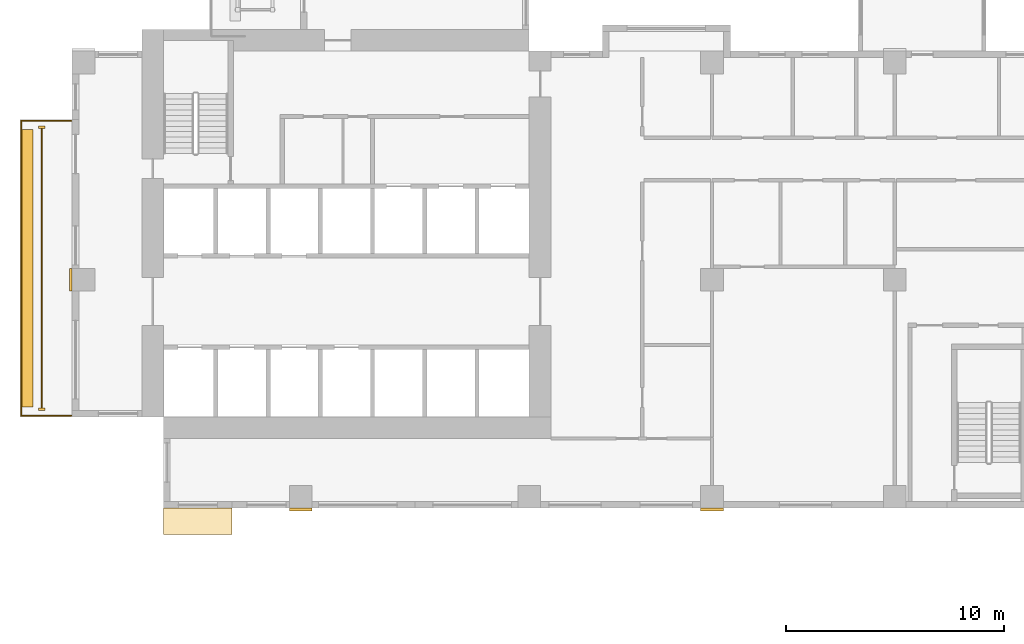
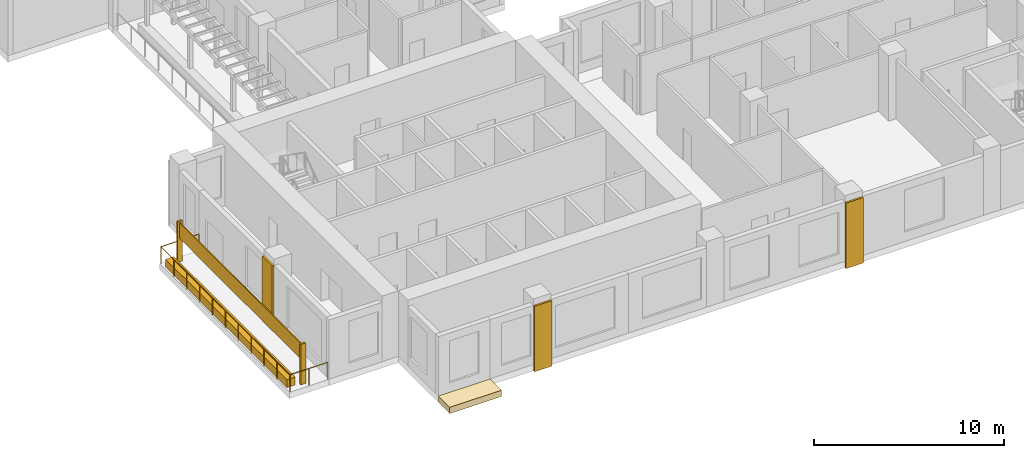
# One storey, part 12 of 16: 8 coverings, 1 railing.
"""IFC4 building model written with IfcOpenShell, lengths in metres."""

from ifc_helpers import new_model, si_unit, direction, frame, origin, origin_2d, place, context, subcontext, project, spatial, polyline, rectangle, circle, outline, extrude, source, transform, mapped, material, type_object, element, save


model = new_model("IFC4")

# Units and contexts
model_context = context("Model", 3, precision=1e-05, world=origin(), true_north=direction((0.0, 1.0)))
body_context = subcontext(model_context, "Body", "Model", "MODEL_VIEW")
ifc_project = project(units=[si_unit("LENGTHUNIT", "METRE"), si_unit("AREAUNIT", "SQUARE_METRE"), si_unit("VOLUMEUNIT", "CUBIC_METRE"), si_unit("PLANEANGLEUNIT", "RADIAN"), si_unit("MASSUNIT", "GRAM", prefix="KILO")], contexts=[model_context])

# Site, building, storey
site_placement = place(None, origin())
site = spatial("IfcSite", under=ifc_project, at=site_placement, CompositionType="ELEMENT")
building_placement = place(site_placement, origin())
building = spatial("IfcBuilding", under=site, at=building_placement, Name="Aurelian Terraces", CompositionType="ELEMENT")
storey_placement = place(building_placement, frame((0.0, 0.0, 124.5)))
storey = spatial("IfcBuildingStorey", under=building, at=storey_placement, Name="L27", CompositionType="ELEMENT", Elevation=124.5)

# Coverings
ifc_material_1 = material(Name="Terracotta rainscreen cladding relief", Category="masonry")
covering_type_1 = type_object("IfcCoveringType", Name="FIN-TC", PredefinedType="CLADDING", material=ifc_material_1)
shared_shape_1 = source(origin(), body_context, "Body", "SweptSolid", [
    extrude(rectangle(XDim=0.3, YDim=0.12, at=origin_2d()), origin(), (0.0, 0.0, 1.0), 2.6),
])
for number, where, z_axis, x_axis, name in (
    (1, (-1.4, 17.5, 0.0), (0.0, 0.0, 1.0), (1.0, 0.0, 0.0), "FIN L27 L27-F22-44.1"),
    (2, (-1.4, 4.55, 0.0), (0.0, 0.0, 1.0), (1.0, 0.0, 0.0), "FIN L27 L27-F22-44.2"),
):
    element("IfcCovering", number, at=place(storey_placement, frame(where, z_axis=z_axis, x_axis=x_axis)), inside=storey, type_object=covering_type_1, Name=name, PredefinedType="CLADDING", context=body_context, shape_type="MappedRepresentation", body=[
        mapped(shared_shape_1, transform((0.0, 0.0, 0.0), scale=1.0)),
    ])

# Railing
ifc_material_2 = material(Name="Anodised aluminium", Category="aluminium")
railing_type = type_object("IfcRailingType", Name="GUARD-1100", PredefinedType="GUARDRAIL", material=ifc_material_2)
shared_shape_2 = source(origin(), body_context, "Body", "SweptSolid", [
    extrude(circle(Radius=0.024, at=origin_2d()), frame((0.0, 0.0, 1.076), z_axis=(-1.0, 0.0, 0.0), x_axis=(0.0, -1.0, 0.0)), (0.0, 0.0, 1.0), 2.3),
    extrude(circle(Radius=0.024, at=origin_2d()), frame((-2.3, 0.0, 1.076), z_axis=(0.0, -1.0, 0.0), x_axis=(1.0, 0.0, 0.0)), (0.0, 0.0, 1.0), 13.55),
    extrude(circle(Radius=0.024, at=origin_2d()), frame((-2.3, -13.55, 1.076), z_axis=(1.0, 0.0, 0.0), x_axis=(0.0, 1.0, 0.0)), (0.0, 0.0, 1.0), 2.3),
    extrude(circle(Radius=0.021, at=origin_2d()), origin(), (0.0, 0.0, 1.0), 1.052),
    extrude(circle(Radius=0.021, at=origin_2d()), frame((-1.15, 0.0, 0.0)), (0.0, 0.0, 1.0), 1.052),
    extrude(circle(Radius=0.021, at=origin_2d()), frame((-2.3, 0.0, 0.0)), (0.0, 0.0, 1.0), 1.052),
    extrude(circle(Radius=0.021, at=origin_2d()), frame((-2.3, -1.355, 0.0)), (0.0, 0.0, 1.0), 1.052),
    extrude(circle(Radius=0.021, at=origin_2d()), frame((-2.3, -2.71, 0.0)), (0.0, 0.0, 1.0), 1.052),
    extrude(circle(Radius=0.021, at=origin_2d()), frame((-2.3, -4.065, 0.0)), (0.0, 0.0, 1.0), 1.052),
    extrude(circle(Radius=0.021, at=origin_2d()), frame((-2.3, -5.42, 0.0)), (0.0, 0.0, 1.0), 1.052),
    extrude(circle(Radius=0.021, at=origin_2d()), frame((-2.3, -6.775, 0.0)), (0.0, 0.0, 1.0), 1.052),
    extrude(circle(Radius=0.021, at=origin_2d()), frame((-2.3, -8.13, 0.0)), (0.0, 0.0, 1.0), 1.052),
    extrude(circle(Radius=0.021, at=origin_2d()), frame((-2.3, -9.485, 0.0)), (0.0, 0.0, 1.0), 1.052),
    extrude(circle(Radius=0.021, at=origin_2d()), frame((-2.3, -10.84, 0.0)), (0.0, 0.0, 1.0), 1.052),
    extrude(circle(Radius=0.021, at=origin_2d()), frame((-2.3, -12.195, 0.0)), (0.0, 0.0, 1.0), 1.052),
    extrude(circle(Radius=0.021, at=origin_2d()), frame((-2.3, -13.55, 0.0)), (0.0, 0.0, 1.0), 1.052),
    extrude(circle(Radius=0.021, at=origin_2d()), frame((-1.15, -13.55, 0.0)), (0.0, 0.0, 1.0), 1.052),
    extrude(circle(Radius=0.021, at=origin_2d()), frame((0.0, -13.55, 0.0)), (0.0, 0.0, 1.0), 1.052),
])
railing_placement = place(storey_placement, frame((-0.05, 17.8, 0.0)))
element("IfcRailing", 3, at=railing_placement, inside=storey, type_object=railing_type, Name="Balcony guard L27 F22.44", PredefinedType="GUARDRAIL", context=body_context, shape_type="MappedRepresentation", body=[
    mapped(shared_shape_2, transform((0.0, 0.0, 0.0), scale=1.0)),
])

# Coverings
ifc_material_3 = material(Name="Terracotta planter with planting soil", Category="masonry")
covering_type_2 = type_object("IfcCoveringType", Name="PLANTER-TROUGH", PredefinedType="USERDEFINED", material=ifc_material_3)
shared_shape_3 = source(origin(), body_context, "Body", "SweptSolid", [
    extrude(rectangle(XDim=0.5, YDim=12.75, at=origin_2d()), origin(), (0.0, 0.0, 1.0), 0.5),
])
covering_1_placement = place(storey_placement, frame((-2.05, 11.025, 0.0), z_axis=(0.0, 0.0, 1.0), x_axis=(1.0, 0.0, 0.0)))
element("IfcCovering", 4, at=covering_1_placement, inside=storey, type_object=covering_type_2, Name="PLANTER L27 L27-F22-44", ObjectType="PLANTER", PredefinedType="USERDEFINED", context=body_context, shape_type="MappedRepresentation", body=[
    mapped(shared_shape_3, transform((0.0, 0.0, 0.0), scale=1.0)),
])
ifc_material_4 = material(Name="Terracotta rainscreen cladding", Category="masonry")
covering_type_3 = type_object("IfcCoveringType", Name="SCREEN-TC", PredefinedType="CLADDING", material=ifc_material_4)
shared_shape_4 = source(origin(), body_context, "Body", "SweptSolid", [
    extrude(rectangle(XDim=0.06, YDim=12.83, at=origin_2d()), origin(), (0.0, 0.0, 1.0), 1.0),
])
covering_2_placement = place(storey_placement, frame((-1.4, 11.025, 1.5), z_axis=(0.0, 0.0, 1.0), x_axis=(1.0, 0.0, 0.0)))
element("IfcCovering", 5, at=covering_2_placement, inside=storey, type_object=covering_type_3, Name="SCREEN L27 L27-F22-44", PredefinedType="CLADDING", context=body_context, shape_type="MappedRepresentation", body=[
    mapped(shared_shape_4, transform((0.0, 0.0, 0.0), scale=1.0)),
])
covering_type_4 = type_object("IfcCoveringType", Name="BAGUETTE-TC", PredefinedType="CLADDING", material=ifc_material_1)
shared_shape_5 = source(origin(), body_context, "Body", "SweptSolid", [
    extrude(rectangle(XDim=1.05, YDim=0.12, at=origin_2d()), origin(), (0.0, 0.0, 1.0), 4.2),
])
for number, where, z_axis, x_axis, name in (
    (6, (10.5, -0.06, -0.4), (0.0, 0.0, 1.0), (1.0, 0.0, 0.0), "BAGUETTE pier L27 1"),
    (7, (29.4, -0.06, -0.4), (0.0, 0.0, 1.0), (1.0, 0.0, 0.0), "BAGUETTE pier L27 2"),
):
    element("IfcCovering", number, at=place(storey_placement, frame(where, z_axis=z_axis, x_axis=x_axis)), inside=storey, type_object=covering_type_4, Name=name, PredefinedType="CLADDING", context=body_context, shape_type="MappedRepresentation", body=[
        mapped(shared_shape_5, transform((0.0, 0.0, 0.0), scale=1.0)),
    ])
shared_shape_6 = source(origin(), body_context, "Body", "SweptSolid", [
    extrude(rectangle(XDim=0.12, YDim=1.05, at=origin_2d()), origin(), (0.0, 0.0, 1.0), 4.2),
])
covering_3_placement = place(storey_placement, frame((-0.06, 10.5, -0.4), z_axis=(0.0, 0.0, 1.0), x_axis=(1.0, 0.0, 0.0)))
element("IfcCovering", 8, at=covering_3_placement, inside=storey, type_object=covering_type_4, Name="BAGUETTE pier L27 5", PredefinedType="CLADDING", context=body_context, shape_type="MappedRepresentation", body=[
    mapped(shared_shape_6, transform((0.0, 0.0, 0.0), scale=1.0)),
])
ifc_material_5 = material(Name="Terracotta roof tiles on membrane", Category="masonry")
covering_type_5 = type_object("IfcCoveringType", Name="Bay roof cover", PredefinedType="ROOFING", material=ifc_material_5)
shared_shape_7 = source(origin(), body_context, "Body", "SweptSolid", [
    extrude(outline(polyline([(7.35, 0.0), (7.35, -1.2), (4.2, -1.2), (4.2, 0.0), (7.35, 0.0)])), origin(), (0.0, 0.0, 1.0), 0.4),
])
covering_4_placement = place(storey_placement, frame((0.0, 0.0, -0.4)))
element("IfcCovering", 9, at=covering_4_placement, inside=storey, type_object=covering_type_5, Name="Bay roof L27 4.20_-1.20_7.35_0.00", PredefinedType="ROOFING", context=body_context, shape_type="MappedRepresentation", body=[
    mapped(shared_shape_7, transform((0.0, 0.0, 0.0), scale=1.0)),
])

save(model, "model.ifc")
